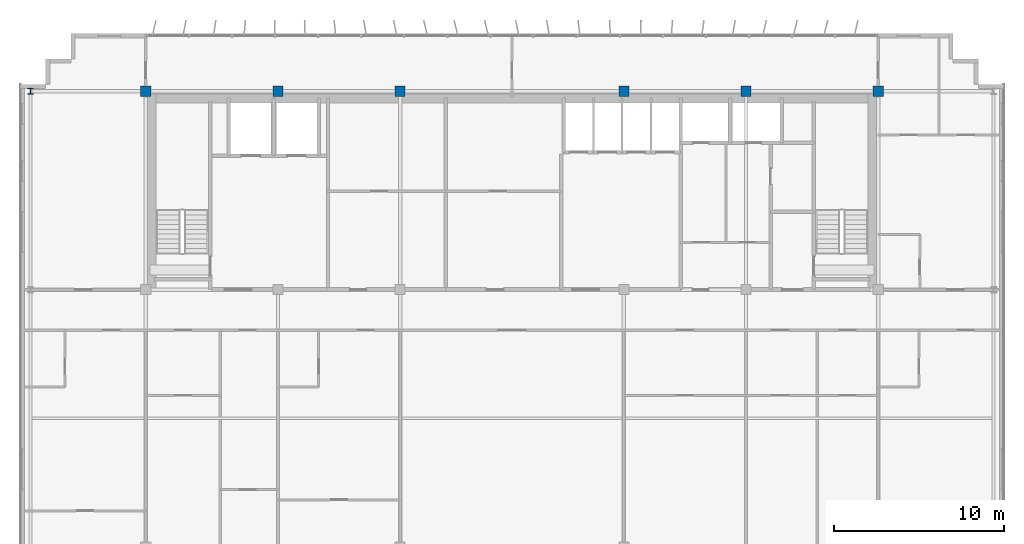
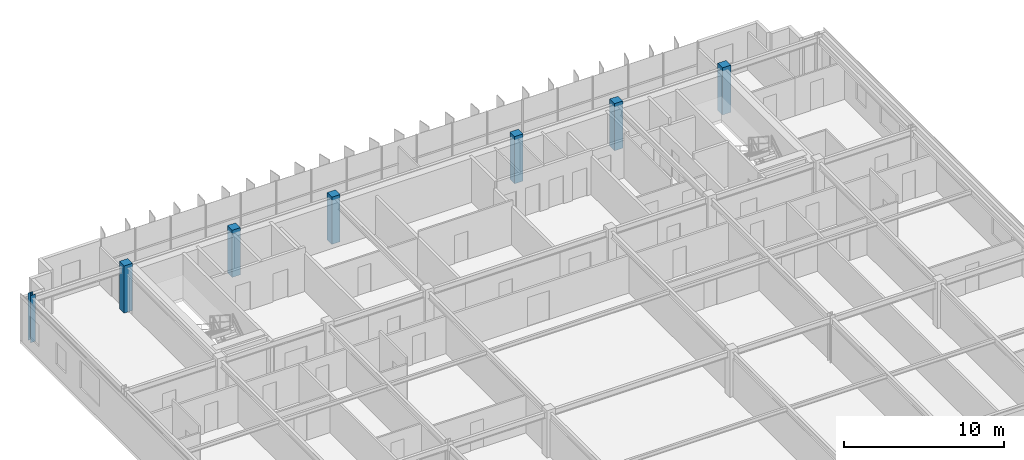
# One storey, part 3 of 22: 7 columns.
"""IFC4 building model written with IfcOpenShell, lengths in metres."""

from ifc_helpers import new_model, si_unit, direction, frame, origin, origin_2d, place, context, subcontext, project, spatial, rectangle, i_section, extrude, source, transform, mapped, material, material_profile, profile_set, type_object, element, save


model = new_model("IFC4")

# Units and contexts
model_context = context("Model", 3, precision=1e-05, world=origin(), true_north=direction((0.0, 1.0)))
body_context = subcontext(model_context, "Body", "Model", "MODEL_VIEW")
ifc_project = project(units=[si_unit("LENGTHUNIT", "METRE"), si_unit("AREAUNIT", "SQUARE_METRE"), si_unit("VOLUMEUNIT", "CUBIC_METRE"), si_unit("PLANEANGLEUNIT", "RADIAN"), si_unit("MASSUNIT", "GRAM", prefix="KILO")], contexts=[model_context])

# Site, building, storey
site_placement = place(None, origin())
site = spatial("IfcSite", under=ifc_project, at=site_placement, CompositionType="ELEMENT")
building_placement = place(site_placement, origin())
building = spatial("IfcBuilding", under=site, at=building_placement, Name="Trelvane Seafront Commons", CompositionType="ELEMENT")
storey_placement = place(building_placement, frame((0.0, 0.0, 273.89990234375)))
storey = spatial("IfcBuildingStorey", under=building, at=storey_placement, Name="L71", CompositionType="ELEMENT", Elevation=273.89990234375)

# Columns
ifc_material_1 = material(Name="Steel SM355 (S355)", Category="steel")
ifc_material_profile_1 = material_profile(ifc_material_1, i_section(OverallWidth=0.35009765625, OverallDepth=0.35009765625, WebThickness=0.01806640625, FlangeThickness=0.028076171875, at=origin_2d()), Name="HD-350x350x18x28")
ifc_profile_set_1 = profile_set([ifc_material_profile_1], Name="Steel SM355 (S355)")
column_type_1 = type_object("IfcColumnType", Name="STR-COL-HD350", PredefinedType="COLUMN", material=ifc_profile_set_1)
shared_shape_1 = source(origin(), body_context, "Body", "SweptSolid", [
    extrude(i_section(OverallWidth=0.35009765625, OverallDepth=0.35009765625, WebThickness=0.01806640625, FlangeThickness=0.028076171875, at=origin_2d()), origin(), (0.0, 0.0, 1.0), 3.60009765625),
])
column_placement = place(storey_placement, frame((8.800048828125, 45.10009765625, 0.0), z_axis=(0.0, 0.0, 1.0), x_axis=(1.0, 0.0, 0.0)))
element("IfcColumn", 1, at=column_placement, inside=storey, type_object=column_type_1, Name="L71 Column TC-CN8.8", PredefinedType="COLUMN", context=body_context, shape_type="MappedRepresentation", body=[
    mapped(shared_shape_1, transform((0.0, 0.0, 0.0), x_axis=(1.0, 0.0, 0.0), y_axis=(0.0, 1.0, 0.0), z_axis=(0.0, 0.0, 1.0), scale=1.0)),
])
ifc_material_2 = material(Name="Concrete C50/60", Category="concrete")
ifc_material_profile_2 = material_profile(ifc_material_2, rectangle(XDim=0.60009765625, YDim=0.60009765625, at=origin_2d()), Name="RC-600x600")
ifc_profile_set_2 = profile_set([ifc_material_profile_2], Name="Concrete C50/60")
column_type_2 = type_object("IfcColumnType", Name="STR-COL-RC600", PredefinedType="COLUMN", material=ifc_profile_set_2)
shared_shape_2 = source(origin(), body_context, "Body", "SweptSolid", [
    extrude(rectangle(XDim=0.60009765625, YDim=0.60009765625, at=origin_2d()), origin(), (0.0, 0.0, 1.0), 3.60009765625),
])
for number, where, z_axis, x_axis, name in (
    (2, (15.60009765625, 45.10009765625, 0.0), (0.0, 0.0, 1.0), (1.0, 0.0, 0.0), "L71 Column TC-CN15.6"),
    (3, (23.39990234375, 45.10009765625, 0.0), (0.0, 0.0, 1.0), (1.0, 0.0, 0.0), "L71 Column TC-CN23.4"),
    (4, (30.60009765625, 45.10009765625, 0.0), (0.0, 0.0, 1.0), (1.0, 0.0, 0.0), "L71 Column TC-CN30.6"),
    (5, (43.800048828125, 45.10009765625, 0.0), (0.0, 0.0, 1.0), (1.0, 0.0, 0.0), "L71 Column TC-CN43.8"),
    (6, (51.0, 45.10009765625, 0.0), (0.0, 0.0, 1.0), (1.0, 0.0, 0.0), "L71 Column TC-CN51.0"),
    (7, (58.800048828125, 45.10009765625, 0.0), (0.0, 0.0, 1.0), (1.0, 0.0, 0.0), "L71 Column TC-CN58.8"),
):
    element("IfcColumn", number, at=place(storey_placement, frame(where, z_axis=z_axis, x_axis=x_axis)), inside=storey, type_object=column_type_2, Name=name, PredefinedType="COLUMN", context=body_context, shape_type="MappedRepresentation", body=[
        mapped(shared_shape_2, transform((0.0, 0.0, 0.0), x_axis=(1.0, 0.0, 0.0), y_axis=(0.0, 1.0, 0.0), z_axis=(0.0, 0.0, 1.0), scale=1.0)),
    ])

save(model, "model.ifc")
